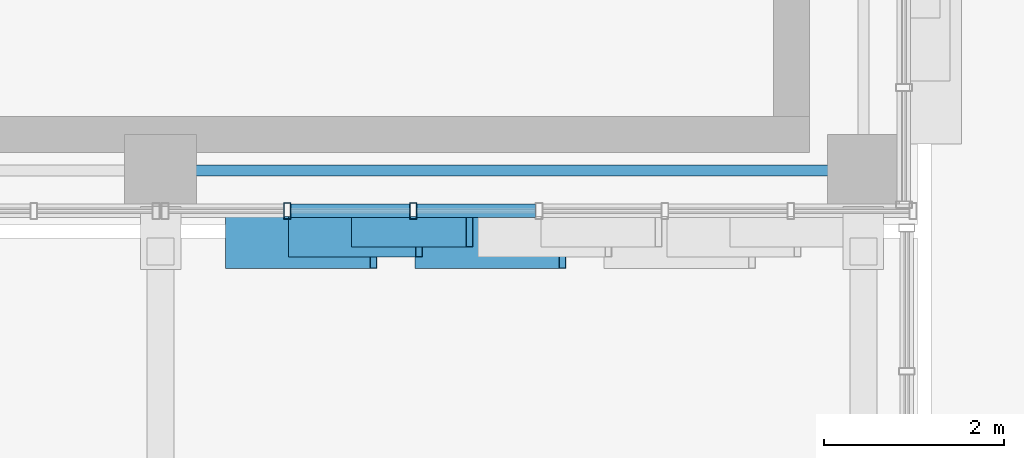
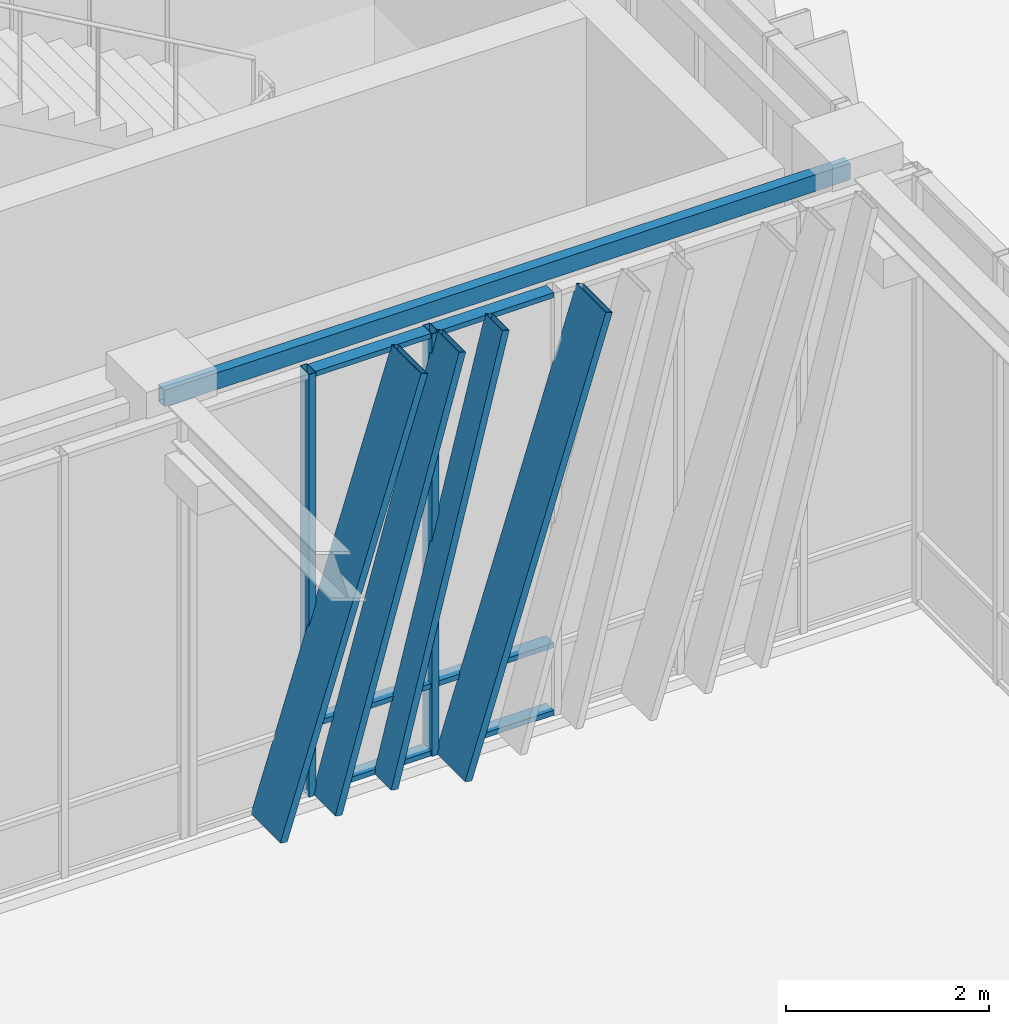
# One storey, part 24 of 122: 12 members, 1 beam, 1 element without a shape of its own.
"""IFC4 building model written with IfcOpenShell, lengths in metres."""

from ifc_helpers import new_model, si_unit, direction, frame, origin, origin_2d, place, context, subcontext, project, spatial, hollow_rectangle, extrude, material, layer, layer_set, material_profile, profile_set, type_object, element, aggregate, save


model = new_model("IFC4")

# Units and contexts
model_context = context("Model", 3, precision=1e-05, world=origin(), true_north=direction((0.0, 1.0)))
body_context = subcontext(model_context, "Body", "Model", "MODEL_VIEW")
ifc_project = project(units=[si_unit("LENGTHUNIT", "METRE"), si_unit("AREAUNIT", "SQUARE_METRE"), si_unit("VOLUMEUNIT", "CUBIC_METRE"), si_unit("PLANEANGLEUNIT", "RADIAN"), si_unit("MASSUNIT", "GRAM", prefix="KILO")], contexts=[model_context])

# Site, building, storey
site_placement = place(None, origin())
site = spatial("IfcSite", under=ifc_project, at=site_placement, CompositionType="ELEMENT")
building_placement = place(site_placement, origin())
building = spatial("IfcBuilding", under=site, at=building_placement, Name="Zayran Congress Hotel", CompositionType="ELEMENT")
storey_placement = place(building_placement, origin())
storey = spatial("IfcBuildingStorey", under=building, at=storey_placement, Name="L00", CompositionType="ELEMENT", Elevation=0.0)

# Beam
ifc_material_1 = material(Name="Steel S355", Category="steel")
ifc_material_profile_1 = material_profile(ifc_material_1, hollow_rectangle(XDim=0.1201171875, YDim=0.199951171875, WallThickness=0.008056640625, at=origin_2d()), Name="RHS 200x120x8")
ifc_profile_set_1 = profile_set([ifc_material_profile_1], Name="Steel S355")
beam_type = type_object("IfcBeamType", Name="TP-SP-02", PredefinedType="SPANDREL", material=ifc_profile_set_1)
beam_placement = place(storey_placement, frame((84.0, 68.199951171875, 4.97998046875), z_axis=(1.0, 0.0, 0.0), x_axis=(0.0, 1.0, 0.0)))
element("IfcBeam", 1, at=beam_placement, inside=storey, type_object=beam_type, Name="BM-V1-L00-0398", PredefinedType="SPANDREL", context=body_context, shape_type="SweptSolid", body=[
    extrude(hollow_rectangle(XDim=0.1201171875, YDim=0.199951171875, WallThickness=0.008056640625, at=origin_2d()), origin(), (0.0, 0.0, 1.0), 7.800048828125),
])

# Curtain wall, members
ifc_material_2 = material(Name="Anodised aluminium and low-E insulated glass", Category="aluminium")
ifc_layer = layer(ifc_material_2, 0.179931640625)
ifc_layer_set = layer_set([ifc_layer], Name="Anodised aluminium and low-E insulated glass")
curtain_wall_type = type_object("IfcCurtainWallType", Name="CW-V1S-L00-CW-11-8380-5080", PredefinedType="USERDEFINED", material=ifc_layer_set)
curtain_wall_placement = place(storey_placement, origin())
curtain_wall = element("IfcCurtainWall", 2, at=curtain_wall_placement, inside=storey, type_object=curtain_wall_type, Name="CW-V1S-L00-9", ObjectType="CURTAIN WALL", PredefinedType="USERDEFINED")
ifc_material_3 = material(Name="Anodised aluminium framing", Category="aluminium")
ifc_material_profile_2 = material_profile(ifc_material_3, hollow_rectangle(XDim=0.080078125, YDim=0.179931640625, WallThickness=0.0048828125, at=origin_2d()), Name="RHS 180x80x5")
ifc_profile_set_2 = profile_set([ifc_material_profile_2], Name="Anodised aluminium framing")
member_type_1 = type_object("IfcMemberType", Name="TP-CWM-01", PredefinedType="MULLION", material=ifc_profile_set_2)
member_1_placement = place(storey_placement, frame((85.40673828125, 67.75, 0.0), z_axis=(0.0, 0.0, 1.0), x_axis=(1.0, 0.0, 0.0)))
member_1 = element("IfcMember", 3, at=member_1_placement, type_object=member_type_1, Name="CW-V1S-L00-9-M01", PredefinedType="MULLION", context=body_context, shape_type="SweptSolid", body=[
    extrude(hollow_rectangle(XDim=0.080078125, YDim=0.179931640625, WallThickness=0.0048828125, at=origin_2d()), origin(), (0.0, 0.0, 1.0), 5.080078125),
])
member_2_placement = place(storey_placement, frame((86.80322265625, 67.75, 0.0), z_axis=(0.0, 0.0, 1.0), x_axis=(1.0, 0.0, 0.0)))
member_2 = element("IfcMember", 4, at=member_2_placement, type_object=member_type_1, Name="CW-V1S-L00-9-M02", PredefinedType="MULLION", context=body_context, shape_type="SweptSolid", body=[
    extrude(hollow_rectangle(XDim=0.080078125, YDim=0.179931640625, WallThickness=0.0048828125, at=origin_2d()), origin(), (0.0, 0.0, 1.0), 5.080078125),
])
ifc_material_profile_3 = material_profile(ifc_material_3, hollow_rectangle(XDim=0.06005859375, YDim=0.14990234375, WallThickness=0.00390625, at=origin_2d()), Name="RHS 150x60x4")
ifc_profile_set_3 = profile_set([ifc_material_profile_3], Name="Anodised aluminium framing")
member_type_2 = type_object("IfcMemberType", Name="TP-CWT-01", PredefinedType="USERDEFINED", material=ifc_profile_set_3)
member_3_placement = place(storey_placement, frame((85.44677734375, 67.75, 0.030029296875), z_axis=(1.0, 0.0, 0.0), x_axis=(0.0, 0.0, 1.0)))
member_3 = element("IfcMember", 5, at=member_3_placement, type_object=member_type_2, Name="CW-V1S-L00-9-T01-0", ObjectType="TRANSOM", PredefinedType="USERDEFINED", context=body_context, shape_type="SweptSolid", body=[
    extrude(hollow_rectangle(XDim=0.06005859375, YDim=0.14990234375, WallThickness=0.00390625, at=origin_2d()), origin(), (0.0, 0.0, 1.0), 1.31640625),
])
member_4_placement = place(storey_placement, frame((85.44677734375, 67.75, 0.840087890625), z_axis=(1.0, 0.0, 0.0), x_axis=(0.0, 0.0, 1.0)))
member_4 = element("IfcMember", 6, at=member_4_placement, type_object=member_type_2, Name="CW-V1S-L00-9-T01-1", ObjectType="TRANSOM", PredefinedType="USERDEFINED", context=body_context, shape_type="SweptSolid", body=[
    extrude(hollow_rectangle(XDim=0.06005859375, YDim=0.14990234375, WallThickness=0.00390625, at=origin_2d()), origin(), (0.0, 0.0, 1.0), 1.31640625),
])
member_5_placement = place(storey_placement, frame((85.44677734375, 67.75, 5.050048828125), z_axis=(1.0, 0.0, 0.0), x_axis=(0.0, 0.0, 1.0)))
member_5 = element("IfcMember", 7, at=member_5_placement, type_object=member_type_2, Name="CW-V1S-L00-9-T01-2", ObjectType="TRANSOM", PredefinedType="USERDEFINED", context=body_context, shape_type="SweptSolid", body=[
    extrude(hollow_rectangle(XDim=0.06005859375, YDim=0.14990234375, WallThickness=0.00390625, at=origin_2d()), origin(), (0.0, 0.0, 1.0), 1.31640625),
])
member_6_placement = place(storey_placement, frame((86.84326171875, 67.75, 0.030029296875), z_axis=(1.0, 0.0, 0.0), x_axis=(0.0, 0.0, 1.0)))
member_6 = element("IfcMember", 8, at=member_6_placement, type_object=member_type_2, Name="CW-V1S-L00-9-T02-0", ObjectType="TRANSOM", PredefinedType="USERDEFINED", context=body_context, shape_type="SweptSolid", body=[
    extrude(hollow_rectangle(XDim=0.06005859375, YDim=0.14990234375, WallThickness=0.00390625, at=origin_2d()), origin(), (0.0, 0.0, 1.0), 1.316650390625),
])
member_7_placement = place(storey_placement, frame((86.84326171875, 67.75, 0.840087890625), z_axis=(1.0, 0.0, 0.0), x_axis=(0.0, 0.0, 1.0)))
member_7 = element("IfcMember", 9, at=member_7_placement, type_object=member_type_2, Name="CW-V1S-L00-9-T02-1", ObjectType="TRANSOM", PredefinedType="USERDEFINED", context=body_context, shape_type="SweptSolid", body=[
    extrude(hollow_rectangle(XDim=0.06005859375, YDim=0.14990234375, WallThickness=0.00390625, at=origin_2d()), origin(), (0.0, 0.0, 1.0), 1.316650390625),
])
member_8_placement = place(storey_placement, frame((86.84326171875, 67.75, 5.050048828125), z_axis=(1.0, 0.0, 0.0), x_axis=(0.0, 0.0, 1.0)))
member_8 = element("IfcMember", 10, at=member_8_placement, type_object=member_type_2, Name="CW-V1S-L00-9-T02-2", ObjectType="TRANSOM", PredefinedType="USERDEFINED", context=body_context, shape_type="SweptSolid", body=[
    extrude(hollow_rectangle(XDim=0.06005859375, YDim=0.14990234375, WallThickness=0.00390625, at=origin_2d()), origin(), (0.0, 0.0, 1.0), 1.316650390625),
])
ifc_material_4 = material(Name="Warm bronze anodised aluminium", Category="aluminium")
ifc_material_profile_4 = material_profile(ifc_material_4, hollow_rectangle(XDim=0.080078125, YDim=0.580078125, WallThickness=0.006103515625, at=origin_2d()), Name="RHS 580x80x6")
ifc_profile_set_4 = profile_set([ifc_material_profile_4], Name="Warm bronze anodised aluminium")
member_type_3 = type_object("IfcMemberType", Name="TP-RFN-01", PredefinedType="MULLION", material=ifc_profile_set_4)
member_9_placement = place(storey_placement, frame((84.760009765625, 67.39990234375, 0.0), z_axis=(0.300716755525, 0.0, 0.953713496259), x_axis=(-0.953713496259, 0.0, 0.300716755525)))
member_9 = element("IfcMember", 11, at=member_9_placement, type_object=member_type_3, Name="Slanting Reed Mullion CW-11-01", PredefinedType="MULLION", context=body_context, shape_type="SweptSolid", body=[
    extrude(hollow_rectangle(XDim=0.080078125, YDim=0.580078125, WallThickness=0.006103515625, at=origin_2d()), origin(), (0.0, 0.0, 1.0), 5.32666015625),
])
member_10_placement = place(storey_placement, frame((86.860107421875, 67.39990234375, 0.0), z_axis=(0.300675065474, 0.0, 0.953726640606), x_axis=(-0.953726640606, 0.0, 0.300675065474)))
member_10 = element("IfcMember", 12, at=member_10_placement, type_object=member_type_3, Name="Slanting Reed Mullion CW-11-04", PredefinedType="MULLION", context=body_context, shape_type="SweptSolid", body=[
    extrude(hollow_rectangle(XDim=0.080078125, YDim=0.580078125, WallThickness=0.006103515625, at=origin_2d()), origin(), (0.0, 0.0, 1.0), 5.32666015625),
])
ifc_material_profile_5 = material_profile(ifc_material_4, hollow_rectangle(XDim=0.080078125, YDim=0.449951171875, WallThickness=0.006103515625, at=origin_2d()), Name="RHS 450x80x6")
ifc_profile_set_5 = profile_set([ifc_material_profile_5], Name="Warm bronze anodised aluminium")
member_type_4 = type_object("IfcMemberType", Name="TP-RFN-02", PredefinedType="MULLION", material=ifc_profile_set_5)
member_11_placement = place(storey_placement, frame((85.4599609375, 67.465087890625, 0.0), z_axis=(0.267256905477, 0.0, 0.96362531436), x_axis=(-0.96362531436, 0.0, 0.267256905477)))
member_11 = element("IfcMember", 13, at=member_11_placement, type_object=member_type_4, Name="Slanting Reed Mullion CW-11-02", PredefinedType="MULLION", context=body_context, shape_type="SweptSolid", body=[
    extrude(hollow_rectangle(XDim=0.080078125, YDim=0.449951171875, WallThickness=0.006103515625, at=origin_2d()), origin(), (0.0, 0.0, 1.0), 5.271728515625),
])
ifc_material_profile_6 = material_profile(ifc_material_4, hollow_rectangle(XDim=0.080078125, YDim=0.340087890625, WallThickness=0.006103515625, at=origin_2d()), Name="RHS 340x80x6")
ifc_profile_set_6 = profile_set([ifc_material_profile_6], Name="Warm bronze anodised aluminium")
member_type_5 = type_object("IfcMemberType", Name="TP-RFN-03", PredefinedType="MULLION", material=ifc_profile_set_6)
member_12_placement = place(storey_placement, frame((86.159912109375, 67.52001953125, 0.0), z_axis=(0.241921145618, 0.0, 0.970295913267), x_axis=(-0.970295913267, 0.0, 0.241921145618)))
member_12 = element("IfcMember", 14, at=member_12_placement, type_object=member_type_5, Name="Slanting Reed Mullion CW-11-03", PredefinedType="MULLION", context=body_context, shape_type="SweptSolid", body=[
    extrude(hollow_rectangle(XDim=0.080078125, YDim=0.340087890625, WallThickness=0.006103515625, at=origin_2d()), origin(), (0.0, 0.0, 1.0), 5.235595703125),
])
aggregate(curtain_wall, [member_1, member_2, member_3, member_4, member_5, member_6, member_7, member_8, member_9, member_11, member_12, member_10])

save(model, "model.ifc")
